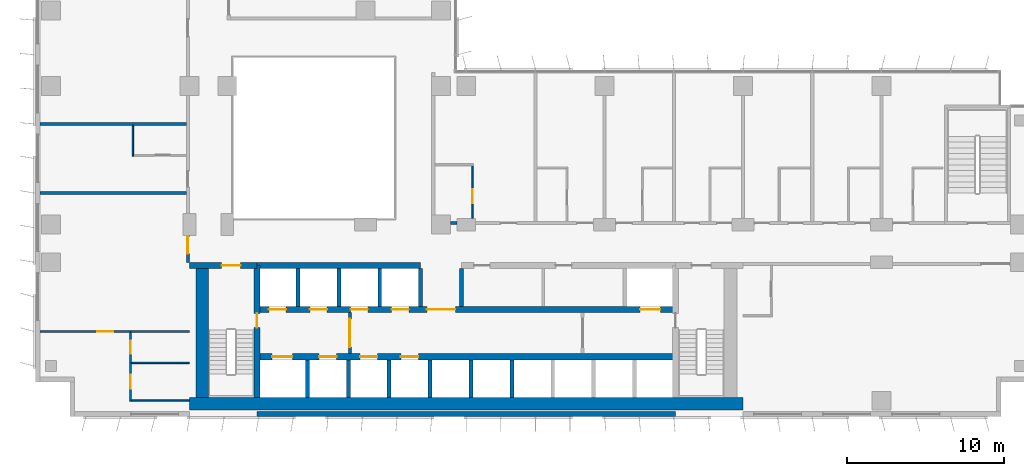
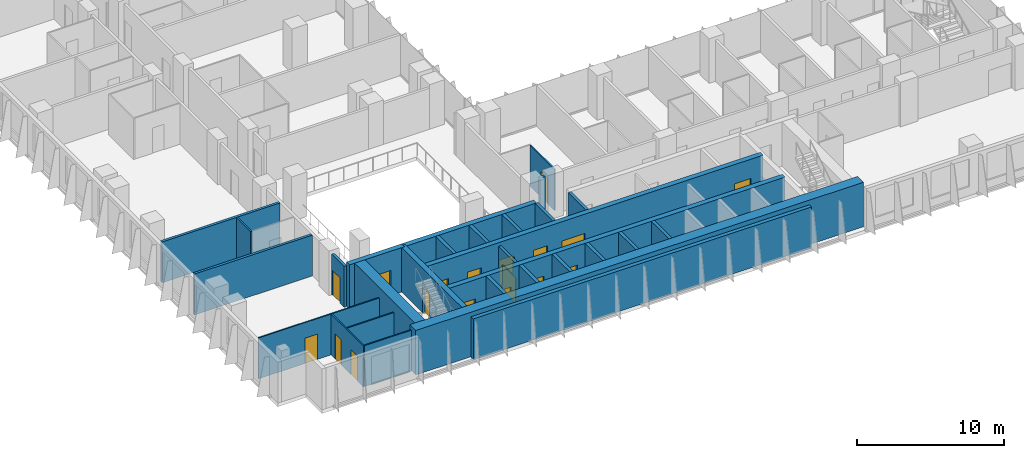
# One storey, part 12 of 22: 30 walls, 18 doors, 18 openings.
"""IFC4 building model written with IfcOpenShell, lengths in metres."""

from ifc_helpers import new_model, si_unit, direction, frame, frame_2d, origin, place, context, subcontext, project, spatial, rectangle, extrude, material, layer, layer_set, type_object, element, fill, save


model = new_model("IFC4")

# Units and contexts
model_context = context("Model", 3, precision=1e-05, world=origin(), true_north=direction((0.0, 1.0)))
body_context = subcontext(model_context, "Body", "Model", "MODEL_VIEW")
ifc_project = project(units=[si_unit("LENGTHUNIT", "METRE"), si_unit("AREAUNIT", "SQUARE_METRE"), si_unit("VOLUMEUNIT", "CUBIC_METRE"), si_unit("PLANEANGLEUNIT", "RADIAN"), si_unit("MASSUNIT", "GRAM", prefix="KILO")], contexts=[model_context])

# Site, building, storey
site_placement = place(None, origin())
site = spatial("IfcSite", under=ifc_project, at=site_placement, CompositionType="ELEMENT")
building_placement = place(site_placement, origin())
building = spatial("IfcBuilding", under=site, at=building_placement, Name="Kemantara Hotel Tower", CompositionType="ELEMENT")
storey_placement = place(building_placement, frame((0.0, 0.0, 107.39990234375)))
storey = spatial("IfcBuildingStorey", under=building, at=storey_placement, Name="L25", CompositionType="ELEMENT", Elevation=107.39990234375)

# Walls
ifc_material_1 = material(Name="Bronze anodised aluminium cladding on insulated steel stud wall", Category="steel")
ifc_layer_1 = layer(ifc_material_1, 0.300048828125)
ifc_layer_set_1 = layer_set([ifc_layer_1], Name="Bronze anodised aluminium cladding on insulated steel stud wall")
wall_type_1 = type_object("IfcWallType", Name="BRONZE METAL-CLAD EXTERNAL WALL 300", PredefinedType="STANDARD", material=ifc_layer_set_1)
wall_1_placement = place(storey_placement, frame((14.10009765625, 0.14990234375, 0.0), z_axis=(0.0, 0.0, 1.0), x_axis=(1.0, 0.0, 0.0)))
element("IfcWall", 1, at=wall_1_placement, inside=storey, type_object=wall_type_1, Name="EXTERNAL WALL L25 T2-R07-2", PredefinedType="STANDARD", context=body_context, shape_type="SweptSolid", body=[
    extrude(rectangle(XDim=26.599853515625, YDim=0.300048828125, at=frame_2d((13.2998046875, 0.0))), origin(), (0.0, 0.0, 1.0), 3.400146484375),
])
ifc_material_2 = material(Name="Concrete fc 70 MPa", Category="concrete")
ifc_layer_2 = layer(ifc_material_2, 0.25)
ifc_layer_set_2 = layer_set([ifc_layer_2], Name="Concrete fc 70 MPa")
wall_type_2 = type_object("IfcWallType", Name="CORE WALL 250 FC70", PredefinedType="SHEAR", material=ifc_layer_set_2)
for number, where, z_axis, x_axis, name in (
    (2, (17.300048828125, 1.199951171875, 0.0), (0.0, 0.0, 1.0), (0.0, 1.0, 0.0), "CORE WALL CW-DS17.3"),
    (3, (19.89990234375, 1.199951171875, 0.0), (0.0, 0.0, 1.0), (0.0, 1.0, 0.0), "CORE WALL CW-DS19.9"),
    (4, (22.5, 1.199951171875, 0.0), (0.0, 0.0, 1.0), (0.0, 1.0, 0.0), "CORE WALL CW-DS22.5"),
    (5, (25.10009765625, 1.199951171875, 0.0), (0.0, 0.0, 1.0), (0.0, 1.0, 0.0), "CORE WALL CW-DS25.1"),
    (6, (27.699951171875, 1.199951171875, 0.0), (0.0, 0.0, 1.0), (0.0, 1.0, 0.0), "CORE WALL CW-DS27.7"),
    (7, (30.300048828125, 1.199951171875, 0.0), (0.0, 0.0, 1.0), (0.0, 1.0, 0.0), "CORE WALL CW-DS30.3"),
):
    element("IfcWall", number, at=place(storey_placement, frame(where, z_axis=z_axis, x_axis=x_axis)), inside=storey, type_object=wall_type_2, Name=name, PredefinedType="SHEAR", context=body_context, shape_type="SweptSolid", body=[
        extrude(rectangle(XDim=2.400146484375, YDim=0.25, at=frame_2d((1.2001953125, 0.0))), origin(), (0.0, 0.0, 1.0), 3.7001953125),
    ])
for number, where, z_axis, x_axis, name in (
    (8, (16.699951171875, 7.0, 0.0), (0.0, 0.0, 1.0), (0.0, 1.0, 0.0), "CORE WALL CW-DN16.7"),
    (9, (19.300048828125, 7.0, 0.0), (0.0, 0.0, 1.0), (0.0, 1.0, 0.0), "CORE WALL CW-DN19.3"),
    (10, (21.89990234375, 7.0, 0.0), (0.0, 0.0, 1.0), (0.0, 1.0, 0.0), "CORE WALL CW-DN21.9"),
    (11, (24.5, 7.0, 0.0), (0.0, 0.0, 1.0), (0.0, 1.0, 0.0), "CORE WALL CW-DN24.5"),
    (12, (27.10009765625, 7.0, 0.0), (0.0, 0.0, 1.0), (0.0, 1.0, 0.0), "CORE WALL CW-DN27.1"),
):
    element("IfcWall", number, at=place(storey_placement, frame(where, z_axis=z_axis, x_axis=x_axis)), inside=storey, type_object=wall_type_2, Name=name, PredefinedType="SHEAR", context=body_context, shape_type="SweptSolid", body=[
        extrude(rectangle(XDim=2.39990234375, YDim=0.25, at=frame_2d((1.199951171875, 0.0))), origin(), (0.0, 0.0, 1.0), 3.7001953125),
    ])

# Wall, opening, door
ifc_layer_3 = layer(ifc_material_2, 0.39990234375)
ifc_layer_set_3 = layer_set([ifc_layer_3], Name="Concrete fc 70 MPa")
wall_type_3 = type_object("IfcWallType", Name="CORE WALL 400 FC70", PredefinedType="SHEAR", material=ifc_layer_set_3)
wall_2_placement = place(storey_placement, frame((9.800048828125, 9.60009765625, 0.0), z_axis=(0.0, 0.0, 1.0), x_axis=(1.0, 0.0, 0.0)))
wall_2 = element("IfcWall", 13, at=wall_2_placement, inside=storey, type_object=wall_type_3, Name="CORE WALL CW-N1", PredefinedType="SHEAR", context=body_context, shape_type="SweptSolid", body=[
    extrude(rectangle(XDim=4.300048828125, YDim=0.39990234375, at=frame_2d((2.14990234375, 0.0))), origin(), (0.0, 0.0, 1.0), 3.7001953125),
])
opening_1_placement = place(wall_2_placement, frame((2.050048828125, 0.0, 0.0)))
opening_1 = element("IfcOpeningElement", 14, at=opening_1_placement, cuts=wall_2, Name="Opening C18-ST1-C", PredefinedType="OPENING", context=body_context, shape_type="SweptSolid", body=[
    extrude(rectangle(XDim=1.199951171875, YDim=2.10009765625, at=frame_2d((0.60009765625, 1.050048828125))), frame((0.0, 0.2099609375, 0.0), z_axis=(0.0, -1.0, 0.0), x_axis=(1.0, 0.0, 0.0)), (0.0, 0.0, 1.0), 0.419921875),
])
ifc_material_3 = material(Name="Steel fire door", Category="steel")
door_type_1 = type_object("IfcDoorType", Name="Fire door FD90 1200 x 2100", OperationType="NOTDEFINED", PredefinedType="DOOR", material=ifc_material_3)
door_1_placement = place(opening_1_placement, frame((1.199951171875, 0.0, 0.0), z_axis=(0.0, 0.0, 1.0), x_axis=(-1.0, 0.0, 0.0)))
door_1 = element("IfcDoor", 15, at=door_1_placement, inside=storey, type_object=door_type_1, Name="Stair ST1 door to corridor", OperationType="SINGLE_SWING_LEFT", OverallHeight=2.10009765625, OverallWidth=1.199951171875, PredefinedType="DOOR", context=body_context, shape_type="SweptSolid", body=[
    extrude(rectangle(XDim=1.199951171875, YDim=2.10009765625, at=frame_2d((0.60009765625, 1.050048828125))), frame((0.0, 0.02490234375, 0.0), z_axis=(0.0, -1.0, 0.0), x_axis=(1.0, 0.0, 0.0)), (0.0, 0.0, 1.0), 0.050048828125),
])
fill(opening_1, door_1)

# Wall
wall_3_placement = place(storey_placement, frame((14.10009765625, 9.60009765625, 0.0), z_axis=(0.0, 0.0, 1.0), x_axis=(1.0, 0.0, 0.0)))
element("IfcWall", 16, at=wall_3_placement, inside=storey, type_object=wall_type_3, Name="CORE WALL CW-NN1", PredefinedType="SHEAR", context=body_context, shape_type="SweptSolid", body=[
    extrude(rectangle(XDim=10.39990234375, YDim=0.39990234375, at=frame_2d((5.199951171875, 0.0))), origin(), (0.0, 0.0, 1.0), 3.7001953125),
])

# Wall, openings, doors
wall_4_placement = place(storey_placement, frame((14.10009765625, 3.800048828125, 0.0), z_axis=(0.0, 0.0, 1.0), x_axis=(1.0, 0.0, 0.0)))
wall_4 = element("IfcWall", 17, at=wall_4_placement, inside=storey, type_object=wall_type_3, Name="CORE WALL CW-L1", PredefinedType="SHEAR", context=body_context, shape_type="SweptSolid", body=[
    extrude(rectangle(XDim=26.599853515625, YDim=0.39990234375, at=frame_2d((13.2998046875, 0.0))), origin(), (0.0, 0.0, 1.0), 3.7001953125),
])
opening_2_placement = place(wall_4_placement, frame((0.949951171875, 0.0, 0.0)))
opening_2 = element("IfcOpeningElement", 18, at=opening_2_placement, cuts=wall_4, Name="Opening C18-LD-FF1", PredefinedType="OPENING", context=body_context, shape_type="SweptSolid", body=[
    extrude(rectangle(XDim=1.300048828125, YDim=2.10009765625, at=frame_2d((0.64990234375, 1.050048828125))), frame((0.0, 0.2099609375, 0.0), z_axis=(0.0, -1.0, 0.0), x_axis=(1.0, 0.0, 0.0)), (0.0, 0.0, 1.0), 0.419921875),
])
opening_3_placement = place(wall_4_placement, frame((3.949951171875, 0.0, 0.0)))
opening_3 = element("IfcOpeningElement", 19, at=opening_3_placement, cuts=wall_4, Name="Opening C18-LD-SV1", PredefinedType="OPENING", context=body_context, shape_type="SweptSolid", body=[
    extrude(rectangle(XDim=1.10009765625, YDim=2.10009765625, at=frame_2d((0.550048828125, 1.050048828125))), frame((0.0, 0.2099609375, 0.0), z_axis=(0.0, -1.0, 0.0), x_axis=(1.0, 0.0, 0.0)), (0.0, 0.0, 1.0), 0.419921875),
])
opening_4_placement = place(wall_4_placement, frame((6.550048828125, 0.0, 0.0)))
opening_4 = element("IfcOpeningElement", 20, at=opening_4_placement, cuts=wall_4, Name="Opening C18-LD-SV2", PredefinedType="OPENING", context=body_context, shape_type="SweptSolid", body=[
    extrude(rectangle(XDim=1.10009765625, YDim=2.10009765625, at=frame_2d((0.550048828125, 1.050048828125))), frame((0.0, 0.2099609375, 0.0), z_axis=(0.0, -1.0, 0.0), x_axis=(1.0, 0.0, 0.0)), (0.0, 0.0, 1.0), 0.419921875),
])
opening_5_placement = place(wall_4_placement, frame((9.14990234375, 0.0, 0.0)))
opening_5 = element("IfcOpeningElement", 21, at=opening_5_placement, cuts=wall_4, Name="Opening C18-LD-SV3", PredefinedType="OPENING", context=body_context, shape_type="SweptSolid", body=[
    extrude(rectangle(XDim=1.10009765625, YDim=2.10009765625, at=frame_2d((0.550048828125, 1.050048828125))), frame((0.0, 0.2099609375, 0.0), z_axis=(0.0, -1.0, 0.0), x_axis=(1.0, 0.0, 0.0)), (0.0, 0.0, 1.0), 0.419921875),
])
ifc_material_4 = material(Name="Stainless steel lift door", Category="steel")
door_type_2 = type_object("IfcDoorType", Name="Lift landing door 1100 x 2100 FD60", OperationType="DOUBLE_DOOR_SLIDING", PredefinedType="DOOR", material=ifc_material_4)
door_2_placement = place(opening_3_placement, origin())
door_2 = element("IfcDoor", 22, at=door_2_placement, inside=storey, type_object=door_type_2, Name="Lift SV1 landing door", OperationType="DOUBLE_DOOR_SLIDING", OverallHeight=2.10009765625, OverallWidth=1.10009765625, PredefinedType="DOOR", context=body_context, shape_type="SweptSolid", body=[
    extrude(rectangle(XDim=1.10009765625, YDim=2.10009765625, at=frame_2d((0.550048828125, 1.050048828125))), frame((0.0, 0.02490234375, 0.0), z_axis=(0.0, -1.0, 0.0), x_axis=(1.0, 0.0, 0.0)), (0.0, 0.0, 1.0), 0.050048828125),
])
fill(opening_3, door_2)
door_3_placement = place(opening_4_placement, origin())
door_3 = element("IfcDoor", 23, at=door_3_placement, inside=storey, type_object=door_type_2, Name="Lift SV2 landing door", OperationType="DOUBLE_DOOR_SLIDING", OverallHeight=2.10009765625, OverallWidth=1.10009765625, PredefinedType="DOOR", context=body_context, shape_type="SweptSolid", body=[
    extrude(rectangle(XDim=1.10009765625, YDim=2.10009765625, at=frame_2d((0.550048828125, 1.050048828125))), frame((0.0, 0.02490234375, 0.0), z_axis=(0.0, -1.0, 0.0), x_axis=(1.0, 0.0, 0.0)), (0.0, 0.0, 1.0), 0.050048828125),
])
fill(opening_4, door_3)
door_4_placement = place(opening_5_placement, origin())
door_4 = element("IfcDoor", 24, at=door_4_placement, inside=storey, type_object=door_type_2, Name="Lift SV3 landing door", OperationType="DOUBLE_DOOR_SLIDING", OverallHeight=2.10009765625, OverallWidth=1.10009765625, PredefinedType="DOOR", context=body_context, shape_type="SweptSolid", body=[
    extrude(rectangle(XDim=1.10009765625, YDim=2.10009765625, at=frame_2d((0.550048828125, 1.050048828125))), frame((0.0, 0.02490234375, 0.0), z_axis=(0.0, -1.0, 0.0), x_axis=(1.0, 0.0, 0.0)), (0.0, 0.0, 1.0), 0.050048828125),
])
fill(opening_5, door_4)
door_type_3 = type_object("IfcDoorType", Name="Lift landing door 1300 x 2100 FD90", OperationType="DOUBLE_DOOR_SLIDING", PredefinedType="DOOR", material=ifc_material_4)
door_5_placement = place(opening_2_placement, origin())
door_5 = element("IfcDoor", 25, at=door_5_placement, inside=storey, type_object=door_type_3, Name="Lift FF1 landing door", OperationType="DOUBLE_DOOR_SLIDING", OverallHeight=2.10009765625, OverallWidth=1.300048828125, PredefinedType="DOOR", context=body_context, shape_type="SweptSolid", body=[
    extrude(rectangle(XDim=1.300048828125, YDim=2.10009765625, at=frame_2d((0.64990234375, 1.050048828125))), frame((0.0, 0.02490234375, 0.0), z_axis=(0.0, -1.0, 0.0), x_axis=(1.0, 0.0, 0.0)), (0.0, 0.0, 1.0), 0.050048828125),
])
fill(opening_2, door_5)

wall_5_placement = place(storey_placement, frame((14.10009765625, 6.800048828125, 0.0), z_axis=(0.0, 0.0, 1.0), x_axis=(1.0, 0.0, 0.0)))
wall_5 = element("IfcWall", 26, at=wall_5_placement, inside=storey, type_object=wall_type_3, Name="CORE WALL CW-L2", PredefinedType="SHEAR", context=body_context, shape_type="SweptSolid", body=[
    extrude(rectangle(XDim=26.599853515625, YDim=0.39990234375, at=frame_2d((13.2998046875, 0.0))), origin(), (0.0, 0.0, 1.0), 3.7001953125),
])
opening_6_placement = place(wall_5_placement, frame((10.800048828125, 0.0, 0.0)))
opening_6 = element("IfcOpeningElement", 27, at=opening_6_placement, cuts=wall_5, Name="Opening C18-VL", PredefinedType="OPENING", context=body_context, shape_type="SweptSolid", body=[
    extrude(rectangle(XDim=1.800048828125, YDim=2.10009765625, at=frame_2d((0.89990234375, 1.050048828125))), frame((0.0, 0.2099609375, 0.0), z_axis=(0.0, -1.0, 0.0), x_axis=(1.0, 0.0, 0.0)), (0.0, 0.0, 1.0), 0.419921875),
])
opening_7_placement = place(wall_5_placement, frame((0.75, 0.0, 0.0)))
opening_7 = element("IfcOpeningElement", 28, at=opening_7_placement, cuts=wall_5, Name="Opening C18-LD-MR1", PredefinedType="OPENING", context=body_context, shape_type="SweptSolid", body=[
    extrude(rectangle(XDim=1.10009765625, YDim=2.10009765625, at=frame_2d((0.550048828125, 1.050048828125))), frame((0.0, 0.2099609375, 0.0), z_axis=(0.0, -1.0, 0.0), x_axis=(1.0, 0.0, 0.0)), (0.0, 0.0, 1.0), 0.419921875),
])
opening_8_placement = place(wall_5_placement, frame((3.35009765625, 0.0, 0.0)))
opening_8 = element("IfcOpeningElement", 29, at=opening_8_placement, cuts=wall_5, Name="Opening C18-LD-MR2", PredefinedType="OPENING", context=body_context, shape_type="SweptSolid", body=[
    extrude(rectangle(XDim=1.10009765625, YDim=2.10009765625, at=frame_2d((0.550048828125, 1.050048828125))), frame((0.0, 0.2099609375, 0.0), z_axis=(0.0, -1.0, 0.0), x_axis=(1.0, 0.0, 0.0)), (0.0, 0.0, 1.0), 0.419921875),
])
opening_9_placement = place(wall_5_placement, frame((5.949951171875, 0.0, 0.0)))
opening_9 = element("IfcOpeningElement", 30, at=opening_9_placement, cuts=wall_5, Name="Opening C18-LD-MR3", PredefinedType="OPENING", context=body_context, shape_type="SweptSolid", body=[
    extrude(rectangle(XDim=1.10009765625, YDim=2.10009765625, at=frame_2d((0.550048828125, 1.050048828125))), frame((0.0, 0.2099609375, 0.0), z_axis=(0.0, -1.0, 0.0), x_axis=(1.0, 0.0, 0.0)), (0.0, 0.0, 1.0), 0.419921875),
])
opening_10_placement = place(wall_5_placement, frame((8.550048828125, 0.0, 0.0)))
opening_10 = element("IfcOpeningElement", 31, at=opening_10_placement, cuts=wall_5, Name="Opening C18-LD-MR4", PredefinedType="OPENING", context=body_context, shape_type="SweptSolid", body=[
    extrude(rectangle(XDim=1.10009765625, YDim=2.10009765625, at=frame_2d((0.550048828125, 1.050048828125))), frame((0.0, 0.2099609375, 0.0), z_axis=(0.0, -1.0, 0.0), x_axis=(1.0, 0.0, 0.0)), (0.0, 0.0, 1.0), 0.419921875),
])
opening_11_placement = place(wall_5_placement, frame((24.35009765625, 0.0, 0.0)))
opening_11 = element("IfcOpeningElement", 32, at=opening_11_placement, cuts=wall_5, Name="Opening C18-LD-FF2", PredefinedType="OPENING", context=body_context, shape_type="SweptSolid", body=[
    extrude(rectangle(XDim=1.300048828125, YDim=2.10009765625, at=frame_2d((0.64990234375, 1.050048828125))), frame((0.0, 0.2099609375, 0.0), z_axis=(0.0, -1.0, 0.0), x_axis=(1.0, 0.0, 0.0)), (0.0, 0.0, 1.0), 0.419921875),
])
door_type_4 = type_object("IfcDoorType", Name="Fire door pair FD60 1800 x 2100", OperationType="DOUBLE_DOOR_SINGLE_SWING", PredefinedType="DOOR", material=ifc_material_3)
door_6_placement = place(opening_6_placement, frame((1.800048828125, 0.0, 0.0), z_axis=(0.0, 0.0, 1.0), x_axis=(-1.0, 0.0, 0.0)))
door_6 = element("IfcDoor", 33, at=door_6_placement, inside=storey, type_object=door_type_4, Name="Lift lobby entry door", OperationType="DOUBLE_DOOR_SINGLE_SWING", OverallHeight=2.10009765625, OverallWidth=1.800048828125, PredefinedType="DOOR", context=body_context, shape_type="SweptSolid", body=[
    extrude(rectangle(XDim=1.800048828125, YDim=2.10009765625, at=frame_2d((0.89990234375, 1.050048828125))), frame((0.0, 0.02490234375, 0.0), z_axis=(0.0, -1.0, 0.0), x_axis=(1.0, 0.0, 0.0)), (0.0, 0.0, 1.0), 0.050048828125),
])
fill(opening_6, door_6)
door_7_placement = place(opening_7_placement, origin())
door_7 = element("IfcDoor", 34, at=door_7_placement, inside=storey, type_object=door_type_2, Name="Lift MR1 landing door", OperationType="DOUBLE_DOOR_SLIDING", OverallHeight=2.10009765625, OverallWidth=1.10009765625, PredefinedType="DOOR", context=body_context, shape_type="SweptSolid", body=[
    extrude(rectangle(XDim=1.10009765625, YDim=2.10009765625, at=frame_2d((0.550048828125, 1.050048828125))), frame((0.0, 0.02490234375, 0.0), z_axis=(0.0, -1.0, 0.0), x_axis=(1.0, 0.0, 0.0)), (0.0, 0.0, 1.0), 0.050048828125),
])
fill(opening_7, door_7)
door_8_placement = place(opening_8_placement, origin())
door_8 = element("IfcDoor", 35, at=door_8_placement, inside=storey, type_object=door_type_2, Name="Lift MR2 landing door", OperationType="DOUBLE_DOOR_SLIDING", OverallHeight=2.10009765625, OverallWidth=1.10009765625, PredefinedType="DOOR", context=body_context, shape_type="SweptSolid", body=[
    extrude(rectangle(XDim=1.10009765625, YDim=2.10009765625, at=frame_2d((0.550048828125, 1.050048828125))), frame((0.0, 0.02490234375, 0.0), z_axis=(0.0, -1.0, 0.0), x_axis=(1.0, 0.0, 0.0)), (0.0, 0.0, 1.0), 0.050048828125),
])
fill(opening_8, door_8)
door_9_placement = place(opening_9_placement, origin())
door_9 = element("IfcDoor", 36, at=door_9_placement, inside=storey, type_object=door_type_2, Name="Lift MR3 landing door", OperationType="DOUBLE_DOOR_SLIDING", OverallHeight=2.10009765625, OverallWidth=1.10009765625, PredefinedType="DOOR", context=body_context, shape_type="SweptSolid", body=[
    extrude(rectangle(XDim=1.10009765625, YDim=2.10009765625, at=frame_2d((0.550048828125, 1.050048828125))), frame((0.0, 0.02490234375, 0.0), z_axis=(0.0, -1.0, 0.0), x_axis=(1.0, 0.0, 0.0)), (0.0, 0.0, 1.0), 0.050048828125),
])
fill(opening_9, door_9)
door_10_placement = place(opening_10_placement, origin())
door_10 = element("IfcDoor", 37, at=door_10_placement, inside=storey, type_object=door_type_2, Name="Lift MR4 landing door", OperationType="DOUBLE_DOOR_SLIDING", OverallHeight=2.10009765625, OverallWidth=1.10009765625, PredefinedType="DOOR", context=body_context, shape_type="SweptSolid", body=[
    extrude(rectangle(XDim=1.10009765625, YDim=2.10009765625, at=frame_2d((0.550048828125, 1.050048828125))), frame((0.0, 0.02490234375, 0.0), z_axis=(0.0, -1.0, 0.0), x_axis=(1.0, 0.0, 0.0)), (0.0, 0.0, 1.0), 0.050048828125),
])
fill(opening_10, door_10)
door_11_placement = place(opening_11_placement, origin())
door_11 = element("IfcDoor", 38, at=door_11_placement, inside=storey, type_object=door_type_3, Name="Lift FF2 landing door", OperationType="DOUBLE_DOOR_SLIDING", OverallHeight=2.10009765625, OverallWidth=1.300048828125, PredefinedType="DOOR", context=body_context, shape_type="SweptSolid", body=[
    extrude(rectangle(XDim=1.300048828125, YDim=2.10009765625, at=frame_2d((0.64990234375, 1.050048828125))), frame((0.0, 0.02490234375, 0.0), z_axis=(0.0, -1.0, 0.0), x_axis=(1.0, 0.0, 0.0)), (0.0, 0.0, 1.0), 0.050048828125),
])
fill(opening_11, door_11)

# Wall, opening, door
wall_6_placement = place(storey_placement, frame((14.10009765625, 1.199951171875, 0.0), z_axis=(0.0, 0.0, 1.0), x_axis=(0.0, 1.0, 0.0)))
wall_6 = element("IfcWall", 39, at=wall_6_placement, inside=storey, type_object=wall_type_3, Name="CORE WALL CW-ST1E", PredefinedType="SHEAR", context=body_context, shape_type="SweptSolid", body=[
    extrude(rectangle(XDim=8.400146484375, YDim=0.39990234375, at=frame_2d((4.2001953125, 0.0))), origin(), (0.0, 0.0, 1.0), 3.7001953125),
])
opening_12_placement = place(wall_6_placement, frame((4.449951171875, 0.0, 0.0)))
opening_12 = element("IfcOpeningElement", 40, at=opening_12_placement, cuts=wall_6, Name="Opening C18-ST1-F", PredefinedType="OPENING", context=body_context, shape_type="SweptSolid", body=[
    extrude(rectangle(XDim=0.89990234375, YDim=2.10009765625, at=frame_2d((0.449951171875, 1.050048828125))), frame((0.0, 0.2099609375, 0.0), z_axis=(0.0, -1.0, 0.0), x_axis=(1.0, 0.0, 0.0)), (0.0, 0.0, 1.0), 0.419921875),
])
door_type_5 = type_object("IfcDoorType", Name="Fire door FD90 900 x 2100", OperationType="NOTDEFINED", PredefinedType="DOOR", material=ifc_material_3)
door_12_placement = place(opening_12_placement, origin())
door_12 = element("IfcDoor", 41, at=door_12_placement, inside=storey, type_object=door_type_5, Name="Stair ST1 door to firefighting lobby", OperationType="SINGLE_SWING_RIGHT", OverallHeight=2.10009765625, OverallWidth=0.89990234375, PredefinedType="DOOR", context=body_context, shape_type="SweptSolid", body=[
    extrude(rectangle(XDim=0.89990234375, YDim=2.10009765625, at=frame_2d((0.449951171875, 1.050048828125))), frame((0.0, 0.02490234375, 0.0), z_axis=(0.0, -1.0, 0.0), x_axis=(1.0, 0.0, 0.0)), (0.0, 0.0, 1.0), 0.050048828125),
])
fill(opening_12, door_12)

# Walls
ifc_layer_4 = layer(ifc_material_2, 0.800048828125)
ifc_layer_set_4 = layer_set([ifc_layer_4], Name="Concrete fc 70 MPa")
wall_type_4 = type_object("IfcWallType", Name="CORE WALL 800 FC70", PredefinedType="SHEAR", material=ifc_layer_set_4)
wall_7_placement = place(storey_placement, frame((9.800048828125, 0.800048828125, 0.0), z_axis=(0.0, 0.0, 1.0), x_axis=(1.0, 0.0, 0.0)))
element("IfcWall", 42, at=wall_7_placement, inside=storey, type_object=wall_type_4, Name="CORE WALL CW-S", PredefinedType="SHEAR", context=body_context, shape_type="SweptSolid", body=[
    extrude(rectangle(XDim=35.199951171875, YDim=0.800048828125, at=frame_2d((17.60009765625, 0.0))), origin(), (0.0, 0.0, 1.0), 3.7001953125),
])
wall_8_placement = place(storey_placement, frame((10.60009765625, 1.199951171875, 0.0), z_axis=(0.0, 0.0, 1.0), x_axis=(0.0, 1.0, 0.0)))
element("IfcWall", 43, at=wall_8_placement, inside=storey, type_object=wall_type_4, Name="CORE WALL CW-W", PredefinedType="SHEAR", context=body_context, shape_type="SweptSolid", body=[
    extrude(rectangle(XDim=8.60009765625, YDim=0.800048828125, at=frame_2d((4.300048828125, 0.0))), origin(), (0.0, 0.0, 1.0), 3.7001953125),
])
ifc_material_5 = material(Name="Gypsum board partition, steel studs and mineral wool, 200 mm", Category="steel")
ifc_layer_5 = layer(ifc_material_5, 0.199951171875)
ifc_layer_set_5 = layer_set([ifc_layer_5], Name="Gypsum board partition, steel studs and mineral wool, 200 mm")
wall_type_5 = type_object("IfcWallType", Name="CORRIDOR WALL 200", PredefinedType="PARTITIONING", material=ifc_layer_set_5)
wall_9_placement = place(storey_placement, frame((26.400146484375, 12.300048828125, 0.0), z_axis=(0.0, 0.0, 1.0), x_axis=(1.0, 0.0, 0.0)))
element("IfcWall", 44, at=wall_9_placement, inside=storey, type_object=wall_type_5, Name="CORRIDOR WALL 200 003", PredefinedType="PARTITIONING", context=body_context, shape_type="SweptSolid", body=[
    extrude(rectangle(XDim=0.399658203125, YDim=0.199951171875, at=frame_2d((0.19970703125, 0.0))), origin(), (0.0, 0.0, 1.0), 3.400146484375),
])

# Wall, opening, door
wall_10_placement = place(storey_placement, frame((9.699951171875, 9.800048828125, 0.0), z_axis=(0.0, 0.0, 1.0), x_axis=(0.0, 1.0, 0.0)))
wall_10 = element("IfcWall", 45, at=wall_10_placement, inside=storey, type_object=wall_type_5, Name="CORRIDOR WALL 200 016", PredefinedType="PARTITIONING", context=body_context, shape_type="SweptSolid", body=[
    extrude(rectangle(XDim=1.699951171875, YDim=0.199951171875, at=frame_2d((0.85009765625, 0.0))), origin(), (0.0, 0.0, 1.0), 3.400146484375),
])
opening_13_placement = place(wall_10_placement, frame((0.550048828125, 0.0, 0.0)))
opening_13 = element("IfcOpeningElement", 46, at=opening_13_placement, cuts=wall_10, Name="Opening F11-017", PredefinedType="OPENING", context=body_context, shape_type="SweptSolid", body=[
    extrude(rectangle(XDim=1.10009765625, YDim=2.10009765625, at=frame_2d((0.550048828125, 1.050048828125))), frame((0.0, 0.10986328125, 0.0), z_axis=(0.0, -1.0, 0.0), x_axis=(1.0, 0.0, 0.0)), (0.0, 0.0, 1.0), 0.219970703125),
])
ifc_material_6 = material(Name="Hardwood veneer door leaf with steel frame", Category="steel")
door_type_6 = type_object("IfcDoorType", Name="SUITE ENTRANCE DOOR 1100 X 2100 FD30S", OperationType="NOTDEFINED", PredefinedType="DOOR", material=ifc_material_6)
door_13_placement = place(opening_13_placement, origin())
door_13 = element("IfcDoor", 47, at=door_13_placement, inside=storey, type_object=door_type_6, Name="SUITE ENTRANCE DOOR F11-017", OperationType="SINGLE_SWING_RIGHT", OverallHeight=2.10009765625, OverallWidth=1.10009765625, PredefinedType="DOOR", context=body_context, shape_type="SweptSolid", body=[
    extrude(rectangle(XDim=1.10009765625, YDim=2.10009765625, at=frame_2d((0.550048828125, 1.050048828125))), frame((0.0, 0.02490234375, 0.0), z_axis=(0.0, -1.0, 0.0), x_axis=(1.0, 0.0, 0.0)), (0.0, 0.0, 1.0), 0.050048828125),
])
fill(opening_13, door_13)

# Walls
ifc_layer_6 = layer(ifc_material_5, 0.199951171875)
ifc_layer_set_6 = layer_set([ifc_layer_6], Name="Gypsum board partition, steel studs and mineral wool, 200 mm")
wall_type_6 = type_object("IfcWallType", Name="GUEST ROOM PARTY WALL 200", PredefinedType="PARTITIONING", material=ifc_layer_set_6)
for number, where, z_axis, x_axis, name in (
    (48, (0.31005859375, 14.199951171875, 0.0), (0.0, 0.0, 1.0), (1.0, 0.0, 0.0), "GUEST ROOM PARTY WALL 200 025"),
    (49, (0.31005859375, 18.60009765625, 0.0), (0.0, 0.0, 1.0), (1.0, 0.0, 0.0), "GUEST ROOM PARTY WALL 200 026"),
):
    element("IfcWall", number, at=place(storey_placement, frame(where, z_axis=z_axis, x_axis=x_axis)), inside=storey, type_object=wall_type_6, Name=name, PredefinedType="PARTITIONING", context=body_context, shape_type="SweptSolid", body=[
        extrude(rectangle(XDim=9.2900390625, YDim=0.199951171875, at=frame_2d((4.64501953125, 0.0))), origin(), (0.0, 0.0, 1.0), 3.400146484375),
    ])

# Wall, opening, door
ifc_material_7 = material(Name="Gypsum board shaft wall")
ifc_layer_7 = layer(ifc_material_7, 0.199951171875)
ifc_layer_set_7 = layer_set([ifc_layer_7], Name="Gypsum board shaft wall")
wall_type_7 = type_object("IfcWallType", Name="Gypsum board shaft wall 200 mm", PredefinedType="PARTITIONING", material=ifc_layer_set_7)
wall_11_placement = place(storey_placement, frame((20.0, 4.0, 0.0), z_axis=(0.0, 0.0, 1.0), x_axis=(0.0, 1.0, 0.0)))
wall_11 = element("IfcWall", 50, at=wall_11_placement, inside=storey, type_object=wall_type_7, Name="Firefighting lobby partition west", PredefinedType="PARTITIONING", context=body_context, shape_type="SweptSolid", body=[
    extrude(rectangle(XDim=2.60009765625, YDim=0.199951171875, at=frame_2d((1.300048828125, 0.0))), origin(), (0.0, 0.0, 1.0), 3.400146484375),
])
opening_14_placement = place(wall_11_placement, frame((0.39990234375, 0.0, 0.0)))
opening_14 = element("IfcOpeningElement", 51, at=opening_14_placement, cuts=wall_11, Name="Opening C18-FFW", PredefinedType="OPENING", context=body_context, shape_type="SweptSolid", body=[
    extrude(rectangle(XDim=1.800048828125, YDim=2.10009765625, at=frame_2d((0.89990234375, 1.050048828125))), frame((0.0, 0.10986328125, 0.0), z_axis=(0.0, -1.0, 0.0), x_axis=(1.0, 0.0, 0.0)), (0.0, 0.0, 1.0), 0.219970703125),
])
door_14_placement = place(opening_14_placement, origin())
door_14 = element("IfcDoor", 52, at=door_14_placement, inside=storey, type_object=door_type_4, Name="Firefighting lobby door west", OperationType="DOUBLE_DOOR_SINGLE_SWING", OverallHeight=2.10009765625, OverallWidth=1.800048828125, PredefinedType="DOOR", context=body_context, shape_type="SweptSolid", body=[
    extrude(rectangle(XDim=1.800048828125, YDim=2.10009765625, at=frame_2d((0.89990234375, 1.050048828125))), frame((0.0, 0.02490234375, 0.0), z_axis=(0.0, -1.0, 0.0), x_axis=(1.0, 0.0, 0.0)), (0.0, 0.0, 1.0), 0.050048828125),
])
fill(opening_14, door_14)

ifc_material_8 = material(Name="Gypsum board partition on steel studs, 100 mm", Category="steel")
ifc_layer_8 = layer(ifc_material_8, 0.10009765625)
ifc_layer_set_8 = layer_set([ifc_layer_8], Name="Gypsum board partition on steel studs, 100 mm")
wall_type_8 = type_object("IfcWallType", Name="ROOM PARTITION 100", PredefinedType="PARTITIONING", material=ifc_layer_set_8)
wall_12_placement = place(storey_placement, frame((27.800048828125, 12.60009765625, 0.0), z_axis=(0.0, 0.0, 1.0), x_axis=(0.0, 1.0, 0.0)))
wall_12 = element("IfcWall", 53, at=wall_12_placement, inside=storey, type_object=wall_type_8, Name="ROOM PARTITION 100 053", PredefinedType="PARTITIONING", context=body_context, shape_type="SweptSolid", body=[
    extrude(rectangle(XDim=3.349853515625, YDim=0.10009765625, at=frame_2d((1.6748046875, 0.0))), origin(), (0.0, 0.0, 1.0), 3.400146484375),
])
opening_15_placement = place(wall_12_placement, frame((0.949951171875, 0.0, 0.0)))
opening_15 = element("IfcOpeningElement", 54, at=opening_15_placement, cuts=wall_12, Name="Opening F11-004", PredefinedType="OPENING", context=body_context, shape_type="SweptSolid", body=[
    extrude(rectangle(XDim=0.89990234375, YDim=2.10009765625, at=frame_2d((0.449951171875, 1.050048828125))), frame((0.0, 0.06005859375, 0.0), z_axis=(0.0, -1.0, 0.0), x_axis=(1.0, 0.0, 0.0)), (0.0, 0.0, 1.0), 0.1201171875),
])
door_type_7 = type_object("IfcDoorType", Name="BATHROOM DOOR 900 X 2100", OperationType="NOTDEFINED", PredefinedType="DOOR", material=ifc_material_6)
door_15_placement = place(opening_15_placement, origin())
door_15 = element("IfcDoor", 55, at=door_15_placement, inside=storey, type_object=door_type_7, Name="BATHROOM DOOR F11-004", OperationType="SINGLE_SWING_LEFT", OverallHeight=2.10009765625, OverallWidth=0.89990234375, PredefinedType="DOOR", context=body_context, shape_type="SweptSolid", body=[
    extrude(rectangle(XDim=0.89990234375, YDim=2.10009765625, at=frame_2d((0.449951171875, 1.050048828125))), frame((0.0, 0.02490234375, 0.0), z_axis=(0.0, -1.0, 0.0), x_axis=(1.0, 0.0, 0.0)), (0.0, 0.0, 1.0), 0.050048828125),
])
fill(opening_15, door_15)

# Wall, openings, doors
wall_13_placement = place(storey_placement, frame((6.050048828125, 5.35009765625, 0.0), z_axis=(0.0, 0.0, 1.0), x_axis=(0.0, -1.0, 0.0)))
wall_13 = element("IfcWall", 56, at=wall_13_placement, inside=storey, type_object=wall_type_8, Name="ROOM PARTITION 100 066", PredefinedType="PARTITIONING", context=body_context, shape_type="SweptSolid", body=[
    extrude(rectangle(XDim=4.400146484375, YDim=0.10009765625, at=frame_2d((2.2001953125, 0.0))), origin(), (0.0, 0.0, 1.0), 3.400146484375),
])
opening_16_placement = place(wall_13_placement, frame((2.699951171875, 0.0, 0.0)))
opening_16 = element("IfcOpeningElement", 57, at=opening_16_placement, cuts=wall_13, Name="Opening F11-019", PredefinedType="OPENING", context=body_context, shape_type="SweptSolid", body=[
    extrude(rectangle(XDim=0.89990234375, YDim=2.10009765625, at=frame_2d((0.449951171875, 1.050048828125))), frame((0.0, 0.06005859375, 0.0), z_axis=(0.0, -1.0, 0.0), x_axis=(1.0, 0.0, 0.0)), (0.0, 0.0, 1.0), 0.1201171875),
])
opening_17_placement = place(wall_13_placement, frame((0.550048828125, 0.0, 0.0)))
opening_17 = element("IfcOpeningElement", 58, at=opening_17_placement, cuts=wall_13, Name="Opening F11-020", PredefinedType="OPENING", context=body_context, shape_type="SweptSolid", body=[
    extrude(rectangle(XDim=0.800048828125, YDim=2.10009765625, at=frame_2d((0.39990234375, 1.050048828125))), frame((0.0, 0.06005859375, 0.0), z_axis=(0.0, -1.0, 0.0), x_axis=(1.0, 0.0, 0.0)), (0.0, 0.0, 1.0), 0.1201171875),
])
door_16_placement = place(opening_16_placement, origin())
door_16 = element("IfcDoor", 59, at=door_16_placement, inside=storey, type_object=door_type_7, Name="BATHROOM DOOR F11-019", OperationType="SINGLE_SWING_LEFT", OverallHeight=2.10009765625, OverallWidth=0.89990234375, PredefinedType="DOOR", context=body_context, shape_type="SweptSolid", body=[
    extrude(rectangle(XDim=0.89990234375, YDim=2.10009765625, at=frame_2d((0.449951171875, 1.050048828125))), frame((0.0, 0.02490234375, 0.0), z_axis=(0.0, -1.0, 0.0), x_axis=(1.0, 0.0, 0.0)), (0.0, 0.0, 1.0), 0.050048828125),
])
fill(opening_16, door_16)
door_type_8 = type_object("IfcDoorType", Name="WARDROBE DOOR 800 X 2100", OperationType="NOTDEFINED", PredefinedType="DOOR", material=ifc_material_6)
door_17_placement = place(opening_17_placement, origin())
door_17 = element("IfcDoor", 60, at=door_17_placement, inside=storey, type_object=door_type_8, Name="WARDROBE DOOR F11-020", OperationType="SINGLE_SWING_LEFT", OverallHeight=2.10009765625, OverallWidth=0.800048828125, PredefinedType="DOOR", context=body_context, shape_type="SweptSolid", body=[
    extrude(rectangle(XDim=0.800048828125, YDim=2.10009765625, at=frame_2d((0.39990234375, 1.050048828125))), frame((0.0, 0.02490234375, 0.0), z_axis=(0.0, -1.0, 0.0), x_axis=(1.0, 0.0, 0.0)), (0.0, 0.0, 1.0), 0.050048828125),
])
fill(opening_17, door_17)

# Wall, opening, door
wall_14_placement = place(storey_placement, frame((9.7998046875, 5.39990234375, 0.0), z_axis=(0.0, 0.0, 1.0), x_axis=(-1.0, 0.0, 0.0)))
wall_14 = element("IfcWall", 61, at=wall_14_placement, inside=storey, type_object=wall_type_8, Name="ROOM PARTITION 100 068", PredefinedType="PARTITIONING", context=body_context, shape_type="SweptSolid", body=[
    extrude(rectangle(XDim=9.48974609375, YDim=0.10009765625, at=frame_2d((4.744873046875, 0.0))), origin(), (0.0, 0.0, 1.0), 3.400146484375),
])
opening_18_placement = place(wall_14_placement, frame((4.849853515625, 0.0, 0.0)))
opening_18 = element("IfcOpeningElement", 62, at=opening_18_placement, cuts=wall_14, Name="Opening F11-018", PredefinedType="OPENING", context=body_context, shape_type="SweptSolid", body=[
    extrude(rectangle(XDim=1.0, YDim=2.10009765625, at=frame_2d((0.5, 1.050048828125))), frame((0.0, 0.06005859375, 0.0), z_axis=(0.0, -1.0, 0.0), x_axis=(1.0, 0.0, 0.0)), (0.0, 0.0, 1.0), 0.1201171875),
])
door_type_9 = type_object("IfcDoorType", Name="INTERNAL DOOR 1000 X 2100", OperationType="NOTDEFINED", PredefinedType="DOOR", material=ifc_material_6)
door_18_placement = place(opening_18_placement, origin())
door_18 = element("IfcDoor", 63, at=door_18_placement, inside=storey, type_object=door_type_9, Name="INTERNAL DOOR F11-018", OperationType="SINGLE_SWING_LEFT", OverallHeight=2.10009765625, OverallWidth=1.0, PredefinedType="DOOR", context=body_context, shape_type="SweptSolid", body=[
    extrude(rectangle(XDim=1.0, YDim=2.10009765625, at=frame_2d((0.5, 1.050048828125))), frame((0.0, 0.02490234375, 0.0), z_axis=(0.0, -1.0, 0.0), x_axis=(1.0, 0.0, 0.0)), (0.0, 0.0, 1.0), 0.050048828125),
])
fill(opening_18, door_18)

# Walls
for number, where, z_axis, x_axis, name in (
    (64, (6.10009765625, 1.0, 0.0), (0.0, 0.0, 1.0), (1.0, 0.0, 0.0), "ROOM PARTITION 100 069"),
    (65, (6.10009765625, 3.39990234375, 0.0), (0.0, 0.0, 1.0), (1.0, 0.0, 0.0), "ROOM PARTITION 100 070"),
):
    element("IfcWall", number, at=place(storey_placement, frame(where, z_axis=z_axis, x_axis=x_axis)), inside=storey, type_object=wall_type_8, Name=name, PredefinedType="PARTITIONING", context=body_context, shape_type="SweptSolid", body=[
        extrude(rectangle(XDim=3.69970703125, YDim=0.10009765625, at=frame_2d((1.849853515625, 0.0))), origin(), (0.0, 0.0, 1.0), 3.400146484375),
    ])
wall_15_placement = place(storey_placement, frame((6.199951171875, 16.550048828125, 0.0), z_axis=(0.0, 0.0, 1.0), x_axis=(0.0, 1.0, 0.0)))
element("IfcWall", 66, at=wall_15_placement, inside=storey, type_object=wall_type_8, Name="ROOM PARTITION 100 071", PredefinedType="PARTITIONING", context=body_context, shape_type="SweptSolid", body=[
    extrude(rectangle(XDim=1.949951171875, YDim=0.10009765625, at=frame_2d((0.97509765625, 0.0))), origin(), (0.0, 0.0, 1.0), 3.400146484375),
])

save(model, "model.ifc")
